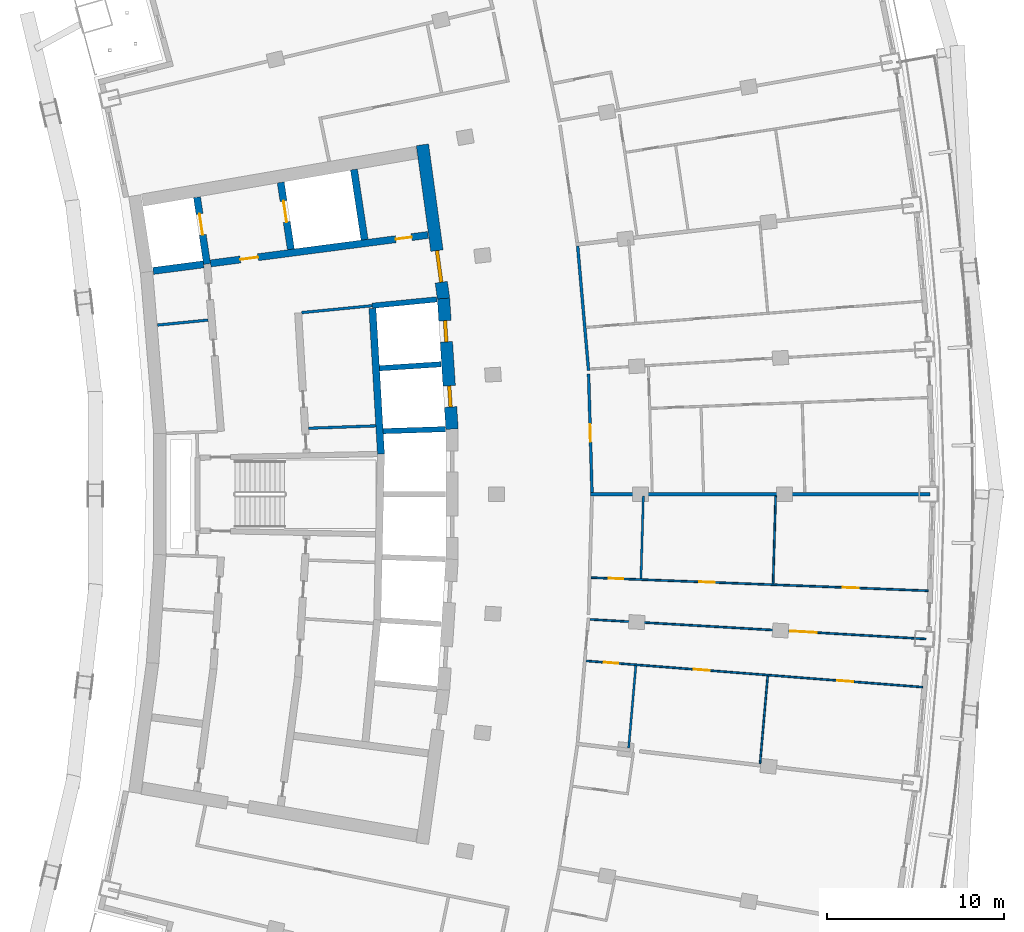
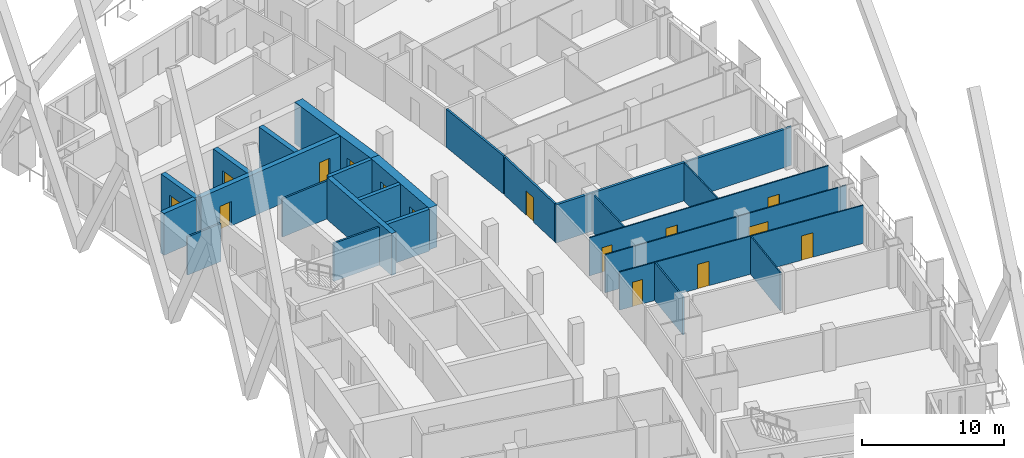
# One storey, part 13 of 20: 24 walls, 15 doors, 15 openings.
"""IFC4 building model written with IfcOpenShell, lengths in metres."""

from ifc_helpers import new_model, si_unit, direction, frame, frame_2d, origin, place, context, subcontext, project, spatial, rectangle, extrude, material, layer, layer_set, type_object, element, fill, save


model = new_model("IFC4")

# Units and contexts
model_context = context("Model", 3, precision=1e-05, world=origin(), true_north=direction((0.0, 1.0)))
body_context = subcontext(model_context, "Body", "Model", "MODEL_VIEW")
ifc_project = project(units=[si_unit("LENGTHUNIT", "METRE"), si_unit("AREAUNIT", "SQUARE_METRE"), si_unit("VOLUMEUNIT", "CUBIC_METRE"), si_unit("PLANEANGLEUNIT", "RADIAN"), si_unit("MASSUNIT", "GRAM", prefix="KILO")], contexts=[model_context])

# Site, building, storey
site_placement = place(None, origin())
site = spatial("IfcSite", under=ifc_project, at=site_placement, CompositionType="ELEMENT")
building_placement = place(site_placement, origin())
building = spatial("IfcBuilding", under=site, at=building_placement, Name="Alderwake Tower", CompositionType="ELEMENT")
storey_placement = place(building_placement, frame((0.0, 0.0, 138.800048828125)))
storey = spatial("IfcBuildingStorey", under=building, at=storey_placement, Name="L33", CompositionType="ELEMENT", Elevation=138.800048828125)

# Walls
ifc_material_1 = material(Name="Gypsum shaft wall system, rated")
ifc_layer_1 = layer(ifc_material_1, 0.14990234375)
ifc_layer_set_1 = layer_set([ifc_layer_1], Name="Core riser partition 150")
wall_type_1 = type_object("IfcWallType", Name="Core riser partition 150", PredefinedType="PARTITIONING", material=ifc_layer_set_1)
wall_1_placement = place(storey_placement, frame((25.191162109375, 64.723388671875, 0.0), z_axis=(0.0, 0.0, 1.0), x_axis=(0.999373627871, 0.035388584556, 0.0)))
element("IfcWall", 1, at=wall_1_placement, inside=storey, type_object=wall_type_1, Name="CW/L33/PR+37_+86", PredefinedType="PARTITIONING", context=body_context, shape_type="SweptSolid", body=[
    extrude(rectangle(XDim=3.79443359375, YDim=0.14990234375, at=frame_2d((1.897216796875, 0.0))), origin(), (0.0, 0.0, 1.0), 3.280029296875),
])
ifc_material_2 = material(Name="Gypsum shaft wall system, rated")
ifc_layer_2 = layer(ifc_material_2, 0.14990234375)
ifc_layer_set_2 = layer_set([ifc_layer_2], Name="Core room partition 150")
wall_type_2 = type_object("IfcWallType", Name="Core room partition 150", PredefinedType="PARTITIONING", material=ifc_layer_set_2)
wall_2_placement = place(storey_placement, frame((24.799560546875, 71.2548828125, 0.0), z_axis=(0.0, 0.0, 1.0), x_axis=(0.995250000627, 0.097352125046, 0.0)))
element("IfcWall", 2, at=wall_2_placement, inside=storey, type_object=wall_type_2, Name="CW/L33/PR+102_+86", PredefinedType="PARTITIONING", context=body_context, shape_type="SweptSolid", body=[
    extrude(rectangle(XDim=4.0, YDim=0.14990234375, at=frame_2d((2.0, 0.0))), origin(), (0.0, 0.0, 1.0), 3.280029296875),
])
wall_3_placement = place(storey_placement, frame((16.662841796875, 70.552001953125, 0.0), z_axis=(0.0, 0.0, 1.0), x_axis=(0.995157883569, 0.098289301407, 0.0)))
element("IfcWall", 3, at=wall_3_placement, inside=storey, type_object=wall_type_2, Name="CW/L33/PR+103_+0", PredefinedType="PARTITIONING", context=body_context, shape_type="SweptSolid", body=[
    extrude(rectangle(XDim=2.866455078125, YDim=0.14990234375, at=frame_2d((1.43310546875, 0.0))), origin(), (0.0, 0.0, 1.0), 3.280029296875),
])

# Wall, openings, doors
ifc_material_3 = material(Name="Concrete C70/85", Category="concrete")
ifc_layer_3 = layer(ifc_material_3, 0.699951171875)
ifc_layer_set_3 = layer_set([ifc_layer_3], Name="Core wall outer 700 C70-85")
wall_type_3 = type_object("IfcWallType", Name="Core wall outer 700 C70-85", PredefinedType="SHEAR", material=ifc_layer_set_3)
wall_4_placement = place(storey_placement, frame((33.291015625, 64.6728515625, 0.0), z_axis=(0.0, 0.0, 1.0), x_axis=(-0.065009096017, 0.99788467141, 0.0)))
wall_4 = element("IfcWall", 4, at=wall_4_placement, inside=storey, type_object=wall_type_3, Name="Core wall CW.010", PredefinedType="SHEAR", context=body_context, shape_type="SweptSolid", body=[
    extrude(rectangle(XDim=7.39453125, YDim=0.699951171875, at=frame_2d((3.697265625, 0.0))), origin(), (0.0, 0.0, 1.0), 3.599853515625),
])
opening_1_placement = place(wall_4_placement, frame((1.25390625, 0.0, 0.0)))
opening_1 = element("IfcOpeningElement", 5, at=opening_1_placement, cuts=wall_4, Name="Opening LD-HP5", PredefinedType="OPENING", context=body_context, shape_type="SweptSolid", body=[
    extrude(rectangle(XDim=1.199951171875, YDim=2.300048828125, at=frame_2d((0.60009765625, 1.14990234375))), frame((0.0, 0.35986328125, 0.0), z_axis=(0.0, -1.0, 0.0), x_axis=(1.0, 0.0, 0.0)), (0.0, 0.0, 1.0), 0.719970703125),
])
opening_2_placement = place(wall_4_placement, frame((4.939208984375, 0.0, 0.0)))
opening_2 = element("IfcOpeningElement", 6, at=opening_2_placement, cuts=wall_4, Name="Opening LD-HP6", PredefinedType="OPENING", context=body_context, shape_type="SweptSolid", body=[
    extrude(rectangle(XDim=1.199951171875, YDim=2.300048828125, at=frame_2d((0.60009765625, 1.14990234375))), frame((0.0, 0.35986328125, 0.0), z_axis=(0.0, -1.0, 0.0), x_axis=(1.0, 0.0, 0.0)), (0.0, 0.0, 1.0), 0.719970703125),
])
ifc_material_4 = material(Name="Stainless steel sliding leaf", Category="steel")
door_type_1 = type_object("IfcDoorType", Name="Lift landing door 1200", OperationType="SLIDING_TO_LEFT", PredefinedType="DOOR", material=ifc_material_4)
door_1_placement = place(opening_1_placement, origin())
door_1 = element("IfcDoor", 7, at=door_1_placement, inside=storey, type_object=door_type_1, Name="Lift landing door HP5", OperationType="SLIDING_TO_LEFT", OverallHeight=2.300048828125, OverallWidth=1.199951171875, PredefinedType="DOOR", context=body_context, shape_type="SweptSolid", body=[
    extrude(rectangle(XDim=1.199951171875, YDim=2.300048828125, at=frame_2d((0.60009765625, 1.14990234375))), frame((0.0, 0.10009765625, 0.0), z_axis=(0.0, -1.0, 0.0), x_axis=(1.0, 0.0, 0.0)), (0.0, 0.0, 1.0), 0.199951171875),
])
fill(opening_1, door_1)
door_2_placement = place(opening_2_placement, origin())
door_2 = element("IfcDoor", 8, at=door_2_placement, inside=storey, type_object=door_type_1, Name="Lift landing door HP6", OperationType="SLIDING_TO_LEFT", OverallHeight=2.300048828125, OverallWidth=1.199951171875, PredefinedType="DOOR", context=body_context, shape_type="SweptSolid", body=[
    extrude(rectangle(XDim=1.199951171875, YDim=2.300048828125, at=frame_2d((0.60009765625, 1.14990234375))), frame((0.0, 0.10009765625, 0.0), z_axis=(0.0, -1.0, 0.0), x_axis=(1.0, 0.0, 0.0)), (0.0, 0.0, 1.0), 0.199951171875),
])
fill(opening_2, door_2)

# Wall, opening, door
wall_5_placement = place(storey_placement, frame((31.618896484375, 80.735107421875, 0.0), z_axis=(0.0, 0.0, 1.0), x_axis=(0.135835706655, -0.99073137671, 0.0)))
wall_5 = element("IfcWall", 9, at=wall_5_placement, inside=storey, type_object=wall_type_3, Name="Core wall CW.009", PredefinedType="SHEAR", context=body_context, shape_type="SweptSolid", body=[
    extrude(rectangle(XDim=8.790771484375, YDim=0.699951171875, at=frame_2d((4.3955078125, 0.0))), origin(), (0.0, 0.0, 1.0), 3.599853515625),
])
opening_3_placement = place(wall_5_placement, frame((6.035888671875, 0.0, 0.0)))
opening_3 = element("IfcOpeningElement", 10, at=opening_3_placement, cuts=wall_5, Name="Opening C001", PredefinedType="OPENING", context=body_context, shape_type="SweptSolid", body=[
    extrude(rectangle(XDim=1.800048828125, YDim=2.10009765625, at=frame_2d((0.89990234375, 1.050048828125))), frame((0.0, 0.35986328125, 0.0), z_axis=(0.0, -1.0, 0.0), x_axis=(1.0, 0.0, 0.0)), (0.0, 0.0, 1.0), 0.719970703125),
])
ifc_material_5 = material(Name="Steel-framed fire door leaves", Category="steel")
door_type_2 = type_object("IfcDoorType", Name="Core double door 1800 fire-rated", OperationType="DOUBLE_DOOR_SINGLE_SWING", PredefinedType="DOOR", material=ifc_material_5)
door_3_placement = place(opening_3_placement, origin())
door_3 = element("IfcDoor", 11, at=door_3_placement, inside=storey, type_object=door_type_2, Name="Lobby double door", OperationType="DOUBLE_DOOR_SINGLE_SWING", OverallHeight=2.10009765625, OverallWidth=1.800048828125, PredefinedType="DOOR", context=body_context, shape_type="SweptSolid", body=[
    extrude(rectangle(XDim=1.800048828125, YDim=2.10009765625, at=frame_2d((0.89990234375, 1.050048828125))), frame((0.0, 0.10009765625, 0.0), z_axis=(0.0, -1.0, 0.0), x_axis=(1.0, 0.0, 0.0)), (0.0, 0.0, 1.0), 0.199951171875),
])
fill(opening_3, door_3)

# Walls
ifc_material_6 = material(Name="Concrete C70/85", Category="concrete")
ifc_layer_4 = layer(ifc_material_6, 0.300048828125)
ifc_layer_set_4 = layer_set([ifc_layer_4], Name="Core wall shaft 300 C70-85")
wall_type_4 = type_object("IfcWallType", Name="Core wall shaft 300 C70-85", PredefinedType="SHEAR", material=ifc_layer_set_4)
wall_6_placement = place(storey_placement, frame((29.401611328125, 64.558349609375, 0.0), z_axis=(0.0, 0.0, 1.0), x_axis=(0.999472422829, 0.032478854739, 0.0)))
element("IfcWall", 12, at=wall_6_placement, inside=storey, type_object=wall_type_4, Name="Core wall CW.058", PredefinedType="SHEAR", context=body_context, shape_type="SweptSolid", body=[
    extrude(rectangle(XDim=3.510498046875, YDim=0.300048828125, at=frame_2d((1.75537109375, 0.0))), origin(), (0.0, 0.0, 1.0), 3.599853515625),
])
wall_7_placement = place(storey_placement, frame((29.193603515625, 68.110595703125, 0.0), z_axis=(0.0, 0.0, 1.0), x_axis=(0.997884751549, 0.065007865878, 0.0)))
element("IfcWall", 13, at=wall_7_placement, inside=storey, type_object=wall_type_4, Name="Core wall CW.061", PredefinedType="SHEAR", context=body_context, shape_type="SweptSolid", body=[
    extrude(rectangle(XDim=3.485107421875, YDim=0.300048828125, at=frame_2d((1.74267578125, 0.0))), origin(), (0.0, 0.0, 1.0), 3.599853515625),
])
wall_8_placement = place(storey_placement, frame((28.780517578125, 71.644287109375, 0.0), z_axis=(0.0, 0.0, 1.0), x_axis=(0.995245736737, 0.097395705788, 0.0)))
element("IfcWall", 14, at=wall_8_placement, inside=storey, type_object=wall_type_4, Name="Core wall CW.049", PredefinedType="SHEAR", context=body_context, shape_type="SweptSolid", body=[
    extrude(rectangle(XDim=3.669677734375, YDim=0.300048828125, at=frame_2d((1.8349609375, 0.0))), origin(), (0.0, 0.0, 1.0), 3.599853515625),
])

# Wall, opening, door
ifc_material_7 = material(Name="Concrete C70/85", Category="concrete")
ifc_layer_5 = layer(ifc_material_7, 0.39990234375)
ifc_layer_set_5 = layer_set([ifc_layer_5], Name="Core wall spine 400 C70-85")
wall_type_5 = type_object("IfcWallType", Name="Core wall spine 400 C70-85", PredefinedType="SHEAR", material=ifc_layer_set_5)
wall_9_placement = place(storey_placement, frame((19.4541015625, 74.000732421875, 0.0), z_axis=(0.0, 0.0, 1.0), x_axis=(-0.148540738889, 0.988906289236, 0.0)))
wall_9 = element("IfcWall", 15, at=wall_9_placement, inside=storey, type_object=wall_type_5, Name="Core wall CW.030", PredefinedType="SHEAR", context=body_context, shape_type="SweptSolid", body=[
    extrude(rectangle(XDim=3.814697265625, YDim=0.39990234375, at=frame_2d((1.9072265625, 0.0))), origin(), (0.0, 0.0, 1.0), 3.599853515625),
])
opening_4_placement = place(wall_9_placement, frame((1.660888671875, 0.0, 0.0)))
opening_4 = element("IfcOpeningElement", 16, at=opening_4_placement, cuts=wall_9, Name="Opening LD-FF1", PredefinedType="OPENING", context=body_context, shape_type="SweptSolid", body=[
    extrude(rectangle(XDim=1.199951171875, YDim=2.300048828125, at=frame_2d((0.60009765625, 1.14990234375))), frame((0.0, 0.2099609375, 0.0), z_axis=(0.0, -1.0, 0.0), x_axis=(1.0, 0.0, 0.0)), (0.0, 0.0, 1.0), 0.419921875),
])
door_4_placement = place(opening_4_placement, origin())
door_4 = element("IfcDoor", 17, at=door_4_placement, inside=storey, type_object=door_type_1, Name="Lift landing door FF1", OperationType="SLIDING_TO_LEFT", OverallHeight=2.300048828125, OverallWidth=1.199951171875, PredefinedType="DOOR", context=body_context, shape_type="SweptSolid", body=[
    extrude(rectangle(XDim=1.199951171875, YDim=2.300048828125, at=frame_2d((0.60009765625, 1.14990234375))), frame((0.0, 0.02490234375, 0.0), z_axis=(0.0, -1.0, 0.0), x_axis=(1.0, 0.0, 0.0)), (0.0, 0.0, 1.0), 0.050048828125),
])
fill(opening_4, door_4)

wall_10_placement = place(storey_placement, frame((24.186279296875, 74.82861328125, 0.0), z_axis=(0.0, 0.0, 1.0), x_axis=(-0.149604879253, 0.988745862243, 0.0)))
wall_10 = element("IfcWall", 18, at=wall_10_placement, inside=storey, type_object=wall_type_5, Name="Core wall CW.044", PredefinedType="SHEAR", context=body_context, shape_type="SweptSolid", body=[
    extrude(rectangle(XDim=3.823486328125, YDim=0.39990234375, at=frame_2d((1.91162109375, 0.0))), origin(), (0.0, 0.0, 1.0), 3.599853515625),
])
opening_5_placement = place(wall_10_placement, frame((1.561767578125, 0.0, 0.0)))
opening_5 = element("IfcOpeningElement", 19, at=opening_5_placement, cuts=wall_10, Name="Opening LD-FF2", PredefinedType="OPENING", context=body_context, shape_type="SweptSolid", body=[
    extrude(rectangle(XDim=1.199951171875, YDim=2.300048828125, at=frame_2d((0.60009765625, 1.14990234375))), frame((0.0, 0.2099609375, 0.0), z_axis=(0.0, -1.0, 0.0), x_axis=(1.0, 0.0, 0.0)), (0.0, 0.0, 1.0), 0.419921875),
])
door_5_placement = place(opening_5_placement, origin())
door_5 = element("IfcDoor", 20, at=door_5_placement, inside=storey, type_object=door_type_1, Name="Lift landing door FF2", OperationType="SLIDING_TO_LEFT", OverallHeight=2.300048828125, OverallWidth=1.199951171875, PredefinedType="DOOR", context=body_context, shape_type="SweptSolid", body=[
    extrude(rectangle(XDim=1.199951171875, YDim=2.300048828125, at=frame_2d((0.60009765625, 1.14990234375))), frame((0.0, 0.02490234375, 0.0), z_axis=(0.0, -1.0, 0.0), x_axis=(1.0, 0.0, 0.0)), (0.0, 0.0, 1.0), 0.050048828125),
])
fill(opening_5, door_5)

# Walls
wall_11_placement = place(storey_placement, frame((29.27685546875, 63.2646484375, 0.0), z_axis=(0.0, 0.0, 1.0), x_axis=(-0.0584546922, 0.998290062537, 0.0)))
element("IfcWall", 21, at=wall_11_placement, inside=storey, type_object=wall_type_5, Name="Core wall CW.002", PredefinedType="SHEAR", context=body_context, shape_type="SweptSolid", body=[
    extrude(rectangle(XDim=8.24462890625, YDim=0.39990234375, at=frame_2d((4.122314453125, 0.0))), origin(), (0.0, 0.0, 1.0), 3.599853515625),
])
wall_12_placement = place(storey_placement, frame((28.350830078125, 75.373291015625, 0.0), z_axis=(0.0, 0.0, 1.0), x_axis=(-0.149688214264, 0.988733249421, 0.0)))
element("IfcWall", 22, at=wall_12_placement, inside=storey, type_object=wall_type_5, Name="Core wall CW.001", PredefinedType="SHEAR", context=body_context, shape_type="SweptSolid", body=[
    extrude(rectangle(XDim=4.01220703125, YDim=0.39990234375, at=frame_2d((2.006103515625, 0.0))), origin(), (0.0, 0.0, 1.0), 3.599853515625),
])
wall_13_placement = place(storey_placement, frame((16.4091796875, 73.609619140625, 0.0), z_axis=(0.0, 0.0, 1.0), x_axis=(0.991557657486, 0.129666541102, 0.0)))
element("IfcWall", 23, at=wall_13_placement, inside=storey, type_object=wall_type_5, Name="Core wall CW.051", PredefinedType="SHEAR", context=body_context, shape_type="SweptSolid", body=[
    extrude(rectangle(XDim=2.869384765625, YDim=0.39990234375, at=frame_2d((1.4345703125, 0.0))), origin(), (0.0, 0.0, 1.0), 3.599853515625),
])

# Wall, openings, doors
wall_14_placement = place(storey_placement, frame((31.933837890625, 75.64013671875, 0.0), z_axis=(0.0, 0.0, 1.0), x_axis=(-0.991554628634, -0.129689700573, 0.0)))
wall_14 = element("IfcWall", 24, at=wall_14_placement, inside=storey, type_object=wall_type_5, Name="Core wall CW.052", PredefinedType="SHEAR", context=body_context, shape_type="SweptSolid", body=[
    extrude(rectangle(XDim=12.38671875, YDim=0.39990234375, at=frame_2d((6.193359375, 0.0))), origin(), (0.0, 0.0, 1.0), 3.599853515625),
])
opening_6_placement = place(wall_14_placement, frame((9.687255859375, 0.0, 0.0)))
opening_6 = element("IfcOpeningElement", 25, at=opening_6_placement, cuts=wall_14, Name="Opening C002", PredefinedType="OPENING", context=body_context, shape_type="SweptSolid", body=[
    extrude(rectangle(XDim=1.0, YDim=2.10009765625, at=frame_2d((0.5, 1.050048828125))), frame((0.0, 0.2099609375, 0.0), z_axis=(0.0, -1.0, 0.0), x_axis=(1.0, 0.0, 0.0)), (0.0, 0.0, 1.0), 0.419921875),
])
opening_7_placement = place(wall_14_placement, frame((0.937255859375, 0.0, 0.0)))
opening_7 = element("IfcOpeningElement", 26, at=opening_7_placement, cuts=wall_14, Name="Opening C020", PredefinedType="OPENING", context=body_context, shape_type="SweptSolid", body=[
    extrude(rectangle(XDim=0.89990234375, YDim=2.10009765625, at=frame_2d((0.449951171875, 1.050048828125))), frame((0.0, 0.2099609375, 0.0), z_axis=(0.0, -1.0, 0.0), x_axis=(1.0, 0.0, 0.0)), (0.0, 0.0, 1.0), 0.419921875),
])
ifc_material_8 = material(Name="Painted steel leaf", Category="steel")
door_type_3 = type_object("IfcDoorType", Name="Core room door 900", OperationType="SINGLE_SWING_LEFT", PredefinedType="DOOR", material=ifc_material_8)
door_6_placement = place(opening_7_placement, origin())
door_6 = element("IfcDoor", 27, at=door_6_placement, inside=storey, type_object=door_type_3, Name="Room door", OperationType="SINGLE_SWING_LEFT", OverallHeight=2.10009765625, OverallWidth=0.89990234375, PredefinedType="DOOR", context=body_context, shape_type="SweptSolid", body=[
    extrude(rectangle(XDim=0.89990234375, YDim=2.10009765625, at=frame_2d((0.449951171875, 1.050048828125))), frame((0.0, 0.02490234375, 0.0), z_axis=(0.0, -1.0, 0.0), x_axis=(1.0, 0.0, 0.0)), (0.0, 0.0, 1.0), 0.050048828125),
])
fill(opening_7, door_6)
ifc_material_9 = material(Name="Steel-framed fire door leaf", Category="steel")
door_type_4 = type_object("IfcDoorType", Name="Firefighting lobby door 1000 fire-rated", OperationType="SINGLE_SWING_LEFT", PredefinedType="DOOR", material=ifc_material_9)
door_7_placement = place(opening_6_placement, origin())
door_7 = element("IfcDoor", 28, at=door_7_placement, inside=storey, type_object=door_type_4, Name="Firefighting lobby door", OperationType="SINGLE_SWING_RIGHT", OverallHeight=2.10009765625, OverallWidth=1.0, PredefinedType="DOOR", context=body_context, shape_type="SweptSolid", body=[
    extrude(rectangle(XDim=1.0, YDim=2.10009765625, at=frame_2d((0.5, 1.050048828125))), frame((0.0, 0.02490234375, 0.0), z_axis=(0.0, -1.0, 0.0), x_axis=(1.0, 0.0, 0.0)), (0.0, 0.0, 1.0), 0.050048828125),
])
fill(opening_6, door_7)

# Wall
ifc_material_10 = material(Name="Gypsum board on metal studs, rated")
ifc_layer_6 = layer(ifc_material_10, 0.159912109375)
ifc_layer_set_6 = layer_set([ifc_layer_6], Name="Corridor wall 160")
wall_type_6 = type_object("IfcWallType", Name="Corridor wall 160", PredefinedType="PARTITIONING", material=ifc_layer_set_6)
wall_15_placement = place(storey_placement, frame((41.001953125, 67.9873046875, 0.0), z_axis=(0.0, 0.0, 1.0), x_axis=(-0.087430787456, 0.996170596537, 0.0)))
element("IfcWall", 29, at=wall_15_placement, inside=storey, type_object=wall_type_6, Name="WL/L33/W27", PredefinedType="PARTITIONING", context=body_context, shape_type="SweptSolid", body=[
    extrude(rectangle(XDim=7.048095703125, YDim=0.159912109375, at=frame_2d((3.52392578125, 0.0))), origin(), (0.0, 0.0, 1.0), 3.280029296875),
])

# Wall, opening, door
wall_16_placement = place(storey_placement, frame((41.002685546875, 67.80029296875, 0.0), z_axis=(0.0, 0.0, 1.0), x_axis=(0.0288425569, -0.999583966914, 0.0)))
wall_16 = element("IfcWall", 30, at=wall_16_placement, inside=storey, type_object=wall_type_6, Name="WL/L33/W28", PredefinedType="PARTITIONING", context=body_context, shape_type="SweptSolid", body=[
    extrude(rectangle(XDim=6.703857421875, YDim=0.159912109375, at=frame_2d((3.35205078125, 0.0))), origin(), (0.0, 0.0, 1.0), 3.280029296875),
])
opening_8_placement = place(wall_16_placement, frame((2.85205078125, 0.0, 0.0)))
opening_8 = element("IfcOpeningElement", 31, at=opening_8_placement, cuts=wall_16, Name="Opening R09-U06.2", PredefinedType="OPENING", context=body_context, shape_type="SweptSolid", body=[
    extrude(rectangle(XDim=1.0, YDim=2.10009765625, at=frame_2d((0.5, 1.050048828125))), frame((0.0, 0.08984375, 0.0), z_axis=(0.0, -1.0, 0.0), x_axis=(1.0, 0.0, 0.0)), (0.0, 0.0, 1.0), 0.179931640625),
])
ifc_material_11 = material(Name="Solid timber leaf in steel frame", Category="steel")
door_type_5 = type_object("IfcDoorType", Name="Flat entrance door 1000 fire-rated", OperationType="SINGLE_SWING_LEFT", PredefinedType="DOOR", material=ifc_material_11)
door_8_placement = place(opening_8_placement, origin())
door_8 = element("IfcDoor", 32, at=door_8_placement, inside=storey, type_object=door_type_5, Name="DR/L33/U06.2", OperationType="SINGLE_SWING_LEFT", OverallHeight=2.10009765625, OverallWidth=1.0, PredefinedType="DOOR", context=body_context, shape_type="SweptSolid", body=[
    extrude(rectangle(XDim=1.0, YDim=2.10009765625, at=frame_2d((0.5, 1.050048828125))), frame((0.0, 0.02490234375, 0.0), z_axis=(0.0, -1.0, 0.0), x_axis=(1.0, 0.0, 0.0)), (0.0, 0.0, 1.0), 0.050048828125),
])
fill(opening_8, door_8)

# Wall
ifc_material_12 = material(Name="Dense block masonry wall", Category="masonry")
ifc_layer_7 = layer(ifc_material_12, 0.199951171875)
ifc_layer_set_7 = layer_set([ifc_layer_7], Name="Party wall 200")
wall_type_7 = type_object("IfcWallType", Name="Party wall 200", PredefinedType="SOLIDWALL", material=ifc_layer_set_7)
wall_17_placement = place(storey_placement, frame((60.300048828125, 60.9990234375, 0.0), z_axis=(0.0, 0.0, 1.0), x_axis=(-1.0, 0.0, 0.0)))
element("IfcWall", 33, at=wall_17_placement, inside=storey, type_object=wall_type_7, Name="WL/L33/W06", PredefinedType="SOLIDWALL", context=body_context, shape_type="SweptSolid", body=[
    extrude(rectangle(XDim=19.18115234375, YDim=0.199951171875, at=frame_2d((9.590576171875, 0.0))), origin(), (0.0, 0.0, 1.0), 3.280029296875),
])

# Wall, openings, doors
ifc_material_13 = material(Name="Gypsum board on metal studs")
ifc_layer_8 = layer(ifc_material_13, 0.10009765625)
ifc_layer_set_8 = layer_set([ifc_layer_8], Name="Unit partition 100")
wall_type_8 = type_object("IfcWallType", Name="Unit partition 100", PredefinedType="PARTITIONING", material=ifc_layer_set_8)
wall_18_placement = place(storey_placement, frame((59.8740234375, 50.10009765625, 0.0), z_axis=(0.0, 0.0, 1.0), x_axis=(-0.996975008821, 0.077722788071, 0.0)))
wall_18 = element("IfcWall", 34, at=wall_18_placement, inside=storey, type_object=wall_type_8, Name="WL/L33/W45", PredefinedType="PARTITIONING", context=body_context, shape_type="SweptSolid", body=[
    extrude(rectangle(XDim=19.063720703125, YDim=0.10009765625, at=frame_2d((9.53173828125, 0.0))), origin(), (0.0, 0.0, 1.0), 3.280029296875),
])
opening_9_placement = place(wall_18_placement, frame((12.059814453125, 0.0, 0.0)))
opening_9 = element("IfcOpeningElement", 35, at=opening_9_placement, cuts=wall_18, Name="Opening R09-U05.1", PredefinedType="OPENING", context=body_context, shape_type="SweptSolid", body=[
    extrude(rectangle(XDim=0.89990234375, YDim=2.10009765625, at=frame_2d((0.449951171875, 1.050048828125))), frame((0.0, 0.06005859375, 0.0), z_axis=(0.0, -1.0, 0.0), x_axis=(1.0, 0.0, 0.0)), (0.0, 0.0, 1.0), 0.1201171875),
])
opening_10_placement = place(wall_18_placement, frame((17.25439453125, 0.0, 0.0)))
opening_10 = element("IfcOpeningElement", 36, at=opening_10_placement, cuts=wall_18, Name="Opening R09-U05.3", PredefinedType="OPENING", context=body_context, shape_type="SweptSolid", body=[
    extrude(rectangle(XDim=0.800048828125, YDim=2.10009765625, at=frame_2d((0.39990234375, 1.050048828125))), frame((0.0, 0.06005859375, 0.0), z_axis=(0.0, -1.0, 0.0), x_axis=(1.0, 0.0, 0.0)), (0.0, 0.0, 1.0), 0.1201171875),
])
opening_11_placement = place(wall_18_placement, frame((3.93798828125, 0.0, 0.0)))
opening_11 = element("IfcOpeningElement", 37, at=opening_11_placement, cuts=wall_18, Name="Opening R09-U05.4", PredefinedType="OPENING", context=body_context, shape_type="SweptSolid", body=[
    extrude(rectangle(XDim=0.89990234375, YDim=2.10009765625, at=frame_2d((0.449951171875, 1.050048828125))), frame((0.0, 0.06005859375, 0.0), z_axis=(0.0, -1.0, 0.0), x_axis=(1.0, 0.0, 0.0)), (0.0, 0.0, 1.0), 0.1201171875),
])
ifc_material_14 = material(Name="Painted timber leaf", Category="wood")
door_type_6 = type_object("IfcDoorType", Name="Bathroom door 800", OperationType="SINGLE_SWING_LEFT", PredefinedType="DOOR", material=ifc_material_14)
door_9_placement = place(opening_10_placement, origin())
door_9 = element("IfcDoor", 38, at=door_9_placement, inside=storey, type_object=door_type_6, Name="DR/L33/U05.3", OperationType="SINGLE_SWING_LEFT", OverallHeight=2.10009765625, OverallWidth=0.800048828125, PredefinedType="DOOR", context=body_context, shape_type="SweptSolid", body=[
    extrude(rectangle(XDim=0.800048828125, YDim=2.10009765625, at=frame_2d((0.39990234375, 1.050048828125))), frame((0.0, 0.02490234375, 0.0), z_axis=(0.0, -1.0, 0.0), x_axis=(1.0, 0.0, 0.0)), (0.0, 0.0, 1.0), 0.050048828125),
])
fill(opening_10, door_9)
ifc_material_15 = material(Name="Painted timber leaf", Category="wood")
door_type_7 = type_object("IfcDoorType", Name="Room door 900", OperationType="SINGLE_SWING_LEFT", PredefinedType="DOOR", material=ifc_material_15)
door_10_placement = place(opening_9_placement, origin())
door_10 = element("IfcDoor", 39, at=door_10_placement, inside=storey, type_object=door_type_7, Name="DR/L33/U05.1", OperationType="SINGLE_SWING_LEFT", OverallHeight=2.10009765625, OverallWidth=0.89990234375, PredefinedType="DOOR", context=body_context, shape_type="SweptSolid", body=[
    extrude(rectangle(XDim=0.89990234375, YDim=2.10009765625, at=frame_2d((0.449951171875, 1.050048828125))), frame((0.0, 0.02490234375, 0.0), z_axis=(0.0, -1.0, 0.0), x_axis=(1.0, 0.0, 0.0)), (0.0, 0.0, 1.0), 0.050048828125),
])
fill(opening_9, door_10)
door_11_placement = place(opening_11_placement, origin())
door_11 = element("IfcDoor", 40, at=door_11_placement, inside=storey, type_object=door_type_7, Name="DR/L33/U05.4", OperationType="SINGLE_SWING_LEFT", OverallHeight=2.10009765625, OverallWidth=0.89990234375, PredefinedType="DOOR", context=body_context, shape_type="SweptSolid", body=[
    extrude(rectangle(XDim=0.89990234375, YDim=2.10009765625, at=frame_2d((0.449951171875, 1.050048828125))), frame((0.0, 0.02490234375, 0.0), z_axis=(0.0, -1.0, 0.0), x_axis=(1.0, 0.0, 0.0)), (0.0, 0.0, 1.0), 0.050048828125),
])
fill(opening_11, door_11)

wall_19_placement = place(storey_placement, frame((41.143798828125, 56.285888671875, 0.0), z_axis=(0.0, 0.0, 1.0), x_axis=(0.999244261002, -0.038870385308, 0.0)))
wall_19 = element("IfcWall", 41, at=wall_19_placement, inside=storey, type_object=wall_type_8, Name="WL/L33/W48", PredefinedType="PARTITIONING", context=body_context, shape_type="SweptSolid", body=[
    extrude(rectangle(XDim=19.0625, YDim=0.10009765625, at=frame_2d((9.53125, 0.0))), origin(), (0.0, 0.0, 1.0), 3.280029296875),
])
opening_12_placement = place(wall_19_placement, frame((6.102783203125, 0.0, 0.0)))
opening_12 = element("IfcOpeningElement", 42, at=opening_12_placement, cuts=wall_19, Name="Opening R09-U05.5", PredefinedType="OPENING", context=body_context, shape_type="SweptSolid", body=[
    extrude(rectangle(XDim=0.89990234375, YDim=2.10009765625, at=frame_2d((0.449951171875, 1.050048828125))), frame((0.0, 0.06005859375, 0.0), z_axis=(0.0, -1.0, 0.0), x_axis=(1.0, 0.0, 0.0)), (0.0, 0.0, 1.0), 0.1201171875),
])
opening_13_placement = place(wall_19_placement, frame((1.0087890625, 0.0, 0.0)))
opening_13 = element("IfcOpeningElement", 43, at=opening_13_placement, cuts=wall_19, Name="Opening R09-U05.6", PredefinedType="OPENING", context=body_context, shape_type="SweptSolid", body=[
    extrude(rectangle(XDim=0.800048828125, YDim=2.10009765625, at=frame_2d((0.39990234375, 1.050048828125))), frame((0.0, 0.06005859375, 0.0), z_axis=(0.0, -1.0, 0.0), x_axis=(1.0, 0.0, 0.0)), (0.0, 0.0, 1.0), 0.1201171875),
])
opening_14_placement = place(wall_19_placement, frame((14.224609375, 0.0, 0.0)))
opening_14 = element("IfcOpeningElement", 44, at=opening_14_placement, cuts=wall_19, Name="Opening R09-U05.7", PredefinedType="OPENING", context=body_context, shape_type="SweptSolid", body=[
    extrude(rectangle(XDim=0.89990234375, YDim=2.10009765625, at=frame_2d((0.449951171875, 1.050048828125))), frame((0.0, 0.06005859375, 0.0), z_axis=(0.0, -1.0, 0.0), x_axis=(1.0, 0.0, 0.0)), (0.0, 0.0, 1.0), 0.1201171875),
])
door_12_placement = place(opening_13_placement, origin())
door_12 = element("IfcDoor", 45, at=door_12_placement, inside=storey, type_object=door_type_6, Name="DR/L33/U05.6", OperationType="SINGLE_SWING_LEFT", OverallHeight=2.10009765625, OverallWidth=0.800048828125, PredefinedType="DOOR", context=body_context, shape_type="SweptSolid", body=[
    extrude(rectangle(XDim=0.800048828125, YDim=2.10009765625, at=frame_2d((0.39990234375, 1.050048828125))), frame((0.0, 0.02490234375, 0.0), z_axis=(0.0, -1.0, 0.0), x_axis=(1.0, 0.0, 0.0)), (0.0, 0.0, 1.0), 0.050048828125),
])
fill(opening_13, door_12)
door_13_placement = place(opening_12_placement, origin())
door_13 = element("IfcDoor", 46, at=door_13_placement, inside=storey, type_object=door_type_7, Name="DR/L33/U05.5", OperationType="SINGLE_SWING_LEFT", OverallHeight=2.10009765625, OverallWidth=0.89990234375, PredefinedType="DOOR", context=body_context, shape_type="SweptSolid", body=[
    extrude(rectangle(XDim=0.89990234375, YDim=2.10009765625, at=frame_2d((0.449951171875, 1.050048828125))), frame((0.0, 0.02490234375, 0.0), z_axis=(0.0, -1.0, 0.0), x_axis=(1.0, 0.0, 0.0)), (0.0, 0.0, 1.0), 0.050048828125),
])
fill(opening_12, door_13)
door_14_placement = place(opening_14_placement, origin())
door_14 = element("IfcDoor", 47, at=door_14_placement, inside=storey, type_object=door_type_7, Name="DR/L33/U05.7", OperationType="SINGLE_SWING_LEFT", OverallHeight=2.10009765625, OverallWidth=0.89990234375, PredefinedType="DOOR", context=body_context, shape_type="SweptSolid", body=[
    extrude(rectangle(XDim=0.89990234375, YDim=2.10009765625, at=frame_2d((0.449951171875, 1.050048828125))), frame((0.0, 0.02490234375, 0.0), z_axis=(0.0, -1.0, 0.0), x_axis=(1.0, 0.0, 0.0)), (0.0, 0.0, 1.0), 0.050048828125),
])
fill(opening_14, door_14)

# Walls
wall_20_placement = place(storey_placement, frame((50.687744140625, 45.78369140625, 0.0), z_axis=(0.0, 0.0, 1.0), x_axis=(0.087352937881, 0.996177426086, 0.0)))
element("IfcWall", 48, at=wall_20_placement, inside=storey, type_object=wall_type_8, Name="WL/L33/W51", PredefinedType="PARTITIONING", context=body_context, shape_type="SweptSolid", body=[
    extrude(rectangle(XDim=4.966552734375, YDim=0.10009765625, at=frame_2d((2.4833984375, 0.0))), origin(), (0.0, 0.0, 1.0), 3.280029296875),
])
wall_21_placement = place(storey_placement, frame((51.424560546875, 55.93701171875, 0.0), z_axis=(0.0, 0.0, 1.0), x_axis=(0.029312335146, 0.999570301184, 0.0)))
element("IfcWall", 49, at=wall_21_placement, inside=storey, type_object=wall_type_8, Name="WL/L33/W53", PredefinedType="PARTITIONING", context=body_context, shape_type="SweptSolid", body=[
    extrude(rectangle(XDim=4.964111328125, YDim=0.10009765625, at=frame_2d((2.48193359375, 0.0))), origin(), (0.0, 0.0, 1.0), 3.280029296875),
])

# Wall, opening, door
wall_22_placement = place(storey_placement, frame((41.074951171875, 53.92919921875, 0.0), z_axis=(0.0, 0.0, 1.0), x_axis=(0.998300831889, -0.058270481797, 0.0)))
wall_22 = element("IfcWall", 50, at=wall_22_placement, inside=storey, type_object=wall_type_8, Name="WL/L33/W56", PredefinedType="PARTITIONING", context=body_context, shape_type="SweptSolid", body=[
    extrude(rectangle(XDim=19.017333984375, YDim=0.10009765625, at=frame_2d((9.5087890625, 0.0))), origin(), (0.0, 0.0, 1.0), 3.280029296875),
])
opening_15_placement = place(wall_22_placement, frame((11.350341796875, 0.0, 0.0)))
opening_15 = element("IfcOpeningElement", 51, at=opening_15_placement, cuts=wall_22, Name="Opening R09-U05.8", PredefinedType="OPENING", context=body_context, shape_type="SweptSolid", body=[
    extrude(rectangle(XDim=1.5, YDim=2.10009765625, at=frame_2d((0.75, 1.050048828125))), frame((0.0, 0.06005859375, 0.0), z_axis=(0.0, -1.0, 0.0), x_axis=(1.0, 0.0, 0.0)), (0.0, 0.0, 1.0), 0.1201171875),
])
ifc_material_16 = material(Name="Painted timber leaves", Category="wood")
door_type_8 = type_object("IfcDoorType", Name="Double leaf door 1500", OperationType="DOUBLE_DOOR_SINGLE_SWING", PredefinedType="DOOR", material=ifc_material_16)
door_15_placement = place(opening_15_placement, origin())
door_15 = element("IfcDoor", 52, at=door_15_placement, inside=storey, type_object=door_type_8, Name="DR/L33/U05.8", OperationType="DOUBLE_DOOR_SINGLE_SWING", OverallHeight=2.10009765625, OverallWidth=1.5, PredefinedType="DOOR", context=body_context, shape_type="SweptSolid", body=[
    extrude(rectangle(XDim=1.5, YDim=2.10009765625, at=frame_2d((0.75, 1.050048828125))), frame((0.0, 0.02490234375, 0.0), z_axis=(0.0, -1.0, 0.0), x_axis=(1.0, 0.0, 0.0)), (0.0, 0.0, 1.0), 0.050048828125),
])
fill(opening_15, door_15)

# Walls
ifc_material_17 = material(Name="Moisture resistant gypsum board on metal studs")
ifc_layer_9 = layer(ifc_material_17, 0.1201171875)
ifc_layer_set_9 = layer_set([ifc_layer_9], Name="Wet room partition 120")
wall_type_9 = type_object("IfcWallType", Name="Wet room partition 120", PredefinedType="PARTITIONING", material=ifc_layer_set_9)
wall_23_placement = place(storey_placement, frame((43.265625, 46.65380859375, 0.0), z_axis=(0.0, 0.0, 1.0), x_axis=(0.087069112872, 0.996202273428, 0.0)))
element("IfcWall", 53, at=wall_23_placement, inside=storey, type_object=wall_type_9, Name="WL/L33/W39", PredefinedType="PARTITIONING", context=body_context, shape_type="SweptSolid", body=[
    extrude(rectangle(XDim=4.67431640625, YDim=0.1201171875, at=frame_2d((2.337158203125, 0.0))), origin(), (0.0, 0.0, 1.0), 3.280029296875),
])
wall_24_placement = place(storey_placement, frame((43.96044921875, 56.22802734375, 0.0), z_axis=(0.0, 0.0, 1.0), x_axis=(0.029257801765, 0.999571898883, 0.0)))
element("IfcWall", 54, at=wall_24_placement, inside=storey, type_object=wall_type_9, Name="WL/L33/W41", PredefinedType="PARTITIONING", context=body_context, shape_type="SweptSolid", body=[
    extrude(rectangle(XDim=4.6728515625, YDim=0.1201171875, at=frame_2d((2.33642578125, 0.0))), origin(), (0.0, 0.0, 1.0), 3.280029296875),
])

save(model, "model.ifc")
